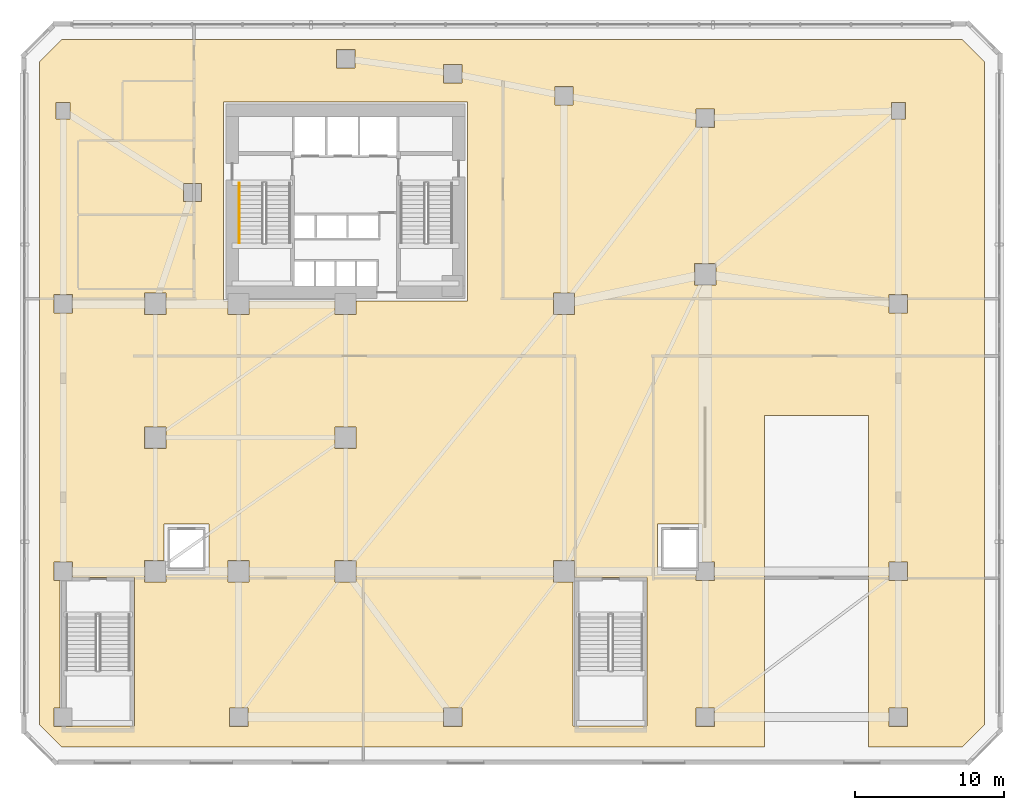
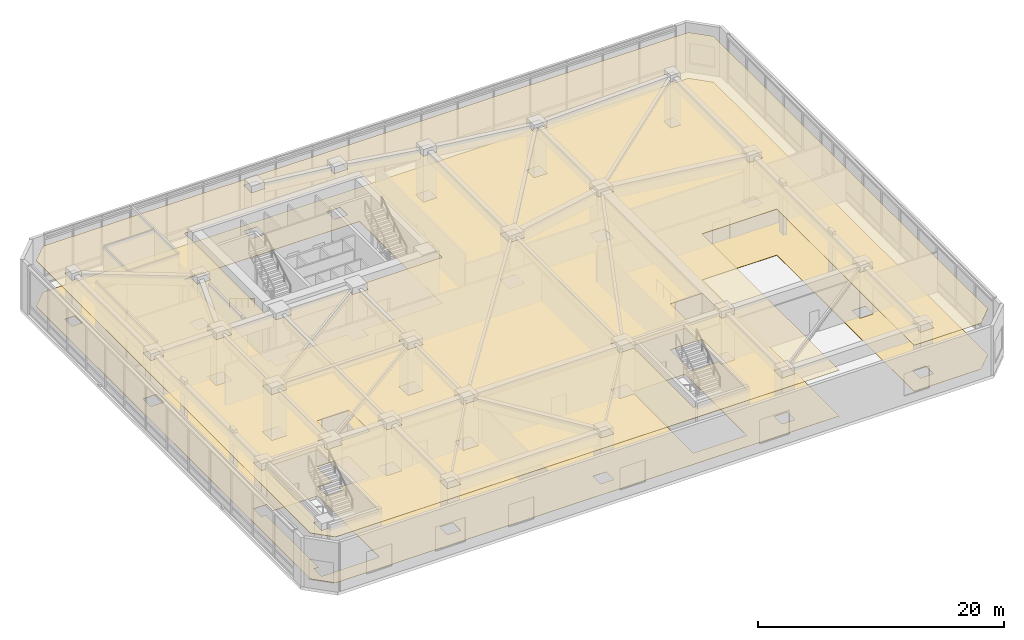
# One storey, part 16 of 18: 2 coverings, 1 railing.
"""IFC4 building model written with IfcOpenShell, lengths in metres."""

from ifc_helpers import new_model, si_unit, direction, frame, origin, origin_2d, place, context, subcontext, project, spatial, polyline, circle, outline, extrude, material, layer, layer_set, type_object, element, save


model = new_model("IFC4")

# Units and contexts
model_context = context("Model", 3, precision=1e-05, world=origin(), true_north=direction((0.0, 1.0)))
body_context = subcontext(model_context, "Body", "Model", "MODEL_VIEW")
ifc_project = project(units=[si_unit("LENGTHUNIT", "METRE"), si_unit("AREAUNIT", "SQUARE_METRE"), si_unit("VOLUMEUNIT", "CUBIC_METRE"), si_unit("PLANEANGLEUNIT", "RADIAN"), si_unit("MASSUNIT", "GRAM", prefix="KILO")], contexts=[model_context])

# Site, building, storey
site_placement = place(None, origin())
site = spatial("IfcSite", under=ifc_project, at=site_placement, CompositionType="ELEMENT")
building_placement = place(site_placement, origin())
building = spatial("IfcBuilding", under=site, at=building_placement, Name="Calvemar Wedge Station Tower", CompositionType="ELEMENT")
storey_placement = place(building_placement, frame((0.0, 0.0, 11.199951171875)))
storey = spatial("IfcBuildingStorey", under=building, at=storey_placement, Name="L03", CompositionType="ELEMENT", Elevation=11.199951171875)

# Coverings
ifc_material_1 = material(Name="Acoustic mineral fibre ceiling board")
ifc_layer_1 = layer(ifc_material_1, 0.0400390625)
ifc_layer_set_1 = layer_set([ifc_layer_1], Name="Acoustic mineral fibre ceiling board")
covering_type_1 = type_object("IfcCoveringType", Name="COV-CEIL-ACOUSTIC", PredefinedType="CEILING", material=ifc_layer_set_1)
covering_1_placement = place(storey_placement, frame((0.0, 0.0, 4.550048828125)))
element("IfcCovering", 1, at=covering_1_placement, inside=storey, type_object=covering_type_1, Name="Storey L03 Acoustic Suspended Ceiling", PredefinedType="CEILING", context=body_context, shape_type="SweptSolid", body=[
    extrude(outline(polyline([(65.302978515625, 50.800048828125), (4.697021484375, 50.800048828125), (3.199951171875, 49.302978515625), (3.199951171875, 4.697021484375), (4.697021484375, 3.199951171875), (52.0, 3.199951171875), (52.0, 25.5), (59.0, 25.5), (59.0, 3.199951171875), (65.302978515625, 3.199951171875), (66.800048828125, 4.697021484375), (66.800048828125, 49.302978515625), (65.302978515625, 50.800048828125)]), holes=[polyline([(15.60009765625, 46.60009765625), (32.0, 46.60009765625), (32.0, 33.199951171875), (24.52001953125, 33.199951171875), (24.52001953125, 32.280029296875), (23.080078125, 32.280029296875), (23.080078125, 33.199951171875), (17.320068359375, 33.199951171875), (17.320068359375, 32.280029296875), (15.8798828125, 32.280029296875), (15.8798828125, 33.199951171875), (15.60009765625, 33.199951171875), (15.60009765625, 46.60009765625)]), polyline([(4.60009765625, 14.3798828125), (4.179931640625, 14.3798828125), (4.179931640625, 15.6201171875), (5.419921875, 15.6201171875), (5.419921875, 14.60009765625), (9.60009765625, 14.60009765625), (9.60009765625, 4.60009765625), (5.419921875, 4.60009765625), (5.419921875, 4.580078125), (4.179931640625, 4.580078125), (4.179931640625, 5.820068359375), (4.60009765625, 5.820068359375), (4.60009765625, 14.3798828125)]), polyline([(39.219970703125, 14.60009765625), (44.10009765625, 14.60009765625), (44.10009765625, 4.60009765625), (39.10009765625, 4.60009765625), (39.10009765625, 14.280029296875), (37.780029296875, 14.280029296875), (37.780029296875, 15.719970703125), (39.219970703125, 15.719970703125), (39.219970703125, 14.60009765625)]), polyline([(11.719970703125, 14.280029296875), (10.280029296875, 14.280029296875), (10.280029296875, 15.719970703125), (11.60009765625, 15.719970703125), (11.60009765625, 18.199951171875), (14.60009765625, 18.199951171875), (14.60009765625, 14.800048828125), (11.719970703125, 14.800048828125), (11.719970703125, 14.280029296875)]), polyline([(44.800048828125, 14.800048828125), (44.800048828125, 18.199951171875), (47.800048828125, 18.199951171875), (47.800048828125, 15.6201171875), (48.6201171875, 15.6201171875), (48.6201171875, 14.3798828125), (47.3798828125, 14.3798828125), (47.3798828125, 14.800048828125), (44.800048828125, 14.800048828125)]), polyline([(15.97998046875, 5.820068359375), (17.219970703125, 5.820068359375), (17.219970703125, 4.580078125), (15.97998046875, 4.580078125), (15.97998046875, 5.820068359375)]), polyline([(31.6201171875, 5.820068359375), (31.6201171875, 4.580078125), (30.3798828125, 4.580078125), (30.3798828125, 5.820068359375), (31.6201171875, 5.820068359375)]), polyline([(48.6201171875, 4.580078125), (47.3798828125, 4.580078125), (47.3798828125, 5.820068359375), (48.6201171875, 5.820068359375), (48.6201171875, 4.580078125)]), polyline([(60.3798828125, 4.580078125), (60.3798828125, 5.820068359375), (61.6201171875, 5.820068359375), (61.6201171875, 4.580078125), (60.3798828125, 4.580078125)]), polyline([(17.320068359375, 14.280029296875), (15.8798828125, 14.280029296875), (15.8798828125, 15.719970703125), (17.320068359375, 15.719970703125), (17.320068359375, 14.280029296875)]), polyline([(23.080078125, 14.280029296875), (23.080078125, 15.719970703125), (24.52001953125, 15.719970703125), (24.52001953125, 14.280029296875), (23.080078125, 14.280029296875)]), polyline([(61.6201171875, 14.3798828125), (60.3798828125, 14.3798828125), (60.3798828125, 15.6201171875), (61.6201171875, 15.6201171875), (61.6201171875, 14.3798828125)]), polyline([(10.280029296875, 23.280029296875), (10.280029296875, 24.719970703125), (11.719970703125, 24.719970703125), (11.719970703125, 23.280029296875), (10.280029296875, 23.280029296875)]), polyline([(23.080078125, 24.719970703125), (24.52001953125, 24.719970703125), (24.52001953125, 23.280029296875), (23.080078125, 23.280029296875), (23.080078125, 24.719970703125)]), polyline([(5.419921875, 33.6201171875), (5.419921875, 32.3798828125), (4.179931640625, 32.3798828125), (4.179931640625, 33.6201171875), (5.419921875, 33.6201171875)]), polyline([(11.719970703125, 32.280029296875), (10.280029296875, 32.280029296875), (10.280029296875, 33.719970703125), (11.719970703125, 33.719970703125), (11.719970703125, 32.280029296875)]), polyline([(39.219970703125, 33.719970703125), (39.219970703125, 32.280029296875), (37.780029296875, 32.280029296875), (37.780029296875, 33.719970703125), (39.219970703125, 33.719970703125)]), polyline([(48.719970703125, 34.280029296875), (47.280029296875, 34.280029296875), (47.280029296875, 35.719970703125), (48.719970703125, 35.719970703125), (48.719970703125, 34.280029296875)]), polyline([(60.3798828125, 32.3798828125), (60.3798828125, 33.6201171875), (61.6201171875, 33.6201171875), (61.6201171875, 32.3798828125), (60.3798828125, 32.3798828125)]), polyline([(4.330078125, 46.570068359375), (5.27001953125, 46.570068359375), (5.27001953125, 45.429931640625), (4.330078125, 45.429931640625), (4.330078125, 46.570068359375)]), polyline([(14.1201171875, 41.1201171875), (14.1201171875, 39.8798828125), (12.8798828125, 39.8798828125), (12.8798828125, 41.1201171875), (14.1201171875, 41.1201171875)]), polyline([(24.419921875, 48.8798828125), (23.179931640625, 48.8798828125), (23.179931640625, 50.1201171875), (24.419921875, 50.1201171875), (24.419921875, 48.8798828125)]), polyline([(30.3798828125, 47.8798828125), (30.3798828125, 49.1201171875), (31.6201171875, 49.1201171875), (31.6201171875, 47.8798828125), (30.3798828125, 47.8798828125)]), polyline([(37.8798828125, 47.6201171875), (39.1201171875, 47.6201171875), (39.1201171875, 46.3798828125), (37.8798828125, 46.3798828125), (37.8798828125, 47.6201171875)]), polyline([(48.6201171875, 46.1201171875), (48.6201171875, 44.8798828125), (47.3798828125, 44.8798828125), (47.3798828125, 46.1201171875), (48.6201171875, 46.1201171875)]), polyline([(61.469970703125, 45.429931640625), (60.530029296875, 45.429931640625), (60.530029296875, 46.570068359375), (61.469970703125, 46.570068359375), (61.469970703125, 45.429931640625)])]), origin(), (0.0, 0.0, 1.0), 0.0400390625),
])
ifc_material_2 = material(Name="Commercial raised access floor")
ifc_layer_2 = layer(ifc_material_2, 0.030029296875)
ifc_layer_set_2 = layer_set([ifc_layer_2], Name="Commercial raised access floor")
covering_type_2 = type_object("IfcCoveringType", Name="COV-FLR-RAISED", PredefinedType="FLOORING", material=ifc_layer_set_2)
covering_2_placement = place(storey_placement, origin())
element("IfcCovering", 2, at=covering_2_placement, inside=storey, type_object=covering_type_2, Name="Storey L03 Architectural Floor Finish", PredefinedType="FLOORING", context=body_context, shape_type="SweptSolid", body=[
    extrude(outline(polyline([(65.302978515625, 50.800048828125), (4.697021484375, 50.800048828125), (3.199951171875, 49.302978515625), (3.199951171875, 4.697021484375), (4.697021484375, 3.199951171875), (52.0, 3.199951171875), (52.0, 25.5), (59.0, 25.5), (59.0, 3.199951171875), (65.302978515625, 3.199951171875), (66.800048828125, 4.697021484375), (66.800048828125, 49.302978515625), (65.302978515625, 50.800048828125)]), holes=[polyline([(15.60009765625, 46.60009765625), (32.0, 46.60009765625), (32.0, 33.199951171875), (24.52001953125, 33.199951171875), (24.52001953125, 32.280029296875), (23.080078125, 32.280029296875), (23.080078125, 33.199951171875), (17.320068359375, 33.199951171875), (17.320068359375, 32.280029296875), (15.8798828125, 32.280029296875), (15.8798828125, 33.199951171875), (15.60009765625, 33.199951171875), (15.60009765625, 46.60009765625)]), polyline([(4.60009765625, 14.3798828125), (4.179931640625, 14.3798828125), (4.179931640625, 15.6201171875), (5.419921875, 15.6201171875), (5.419921875, 14.60009765625), (9.60009765625, 14.60009765625), (9.60009765625, 4.60009765625), (5.419921875, 4.60009765625), (5.419921875, 4.580078125), (4.179931640625, 4.580078125), (4.179931640625, 5.820068359375), (4.60009765625, 5.820068359375), (4.60009765625, 14.3798828125)]), polyline([(39.219970703125, 14.60009765625), (44.10009765625, 14.60009765625), (44.10009765625, 4.60009765625), (39.10009765625, 4.60009765625), (39.10009765625, 14.280029296875), (37.780029296875, 14.280029296875), (37.780029296875, 15.719970703125), (39.219970703125, 15.719970703125), (39.219970703125, 14.60009765625)]), polyline([(11.719970703125, 14.280029296875), (10.280029296875, 14.280029296875), (10.280029296875, 15.719970703125), (11.60009765625, 15.719970703125), (11.60009765625, 18.199951171875), (14.60009765625, 18.199951171875), (14.60009765625, 14.800048828125), (11.719970703125, 14.800048828125), (11.719970703125, 14.280029296875)]), polyline([(44.800048828125, 14.800048828125), (44.800048828125, 18.199951171875), (47.800048828125, 18.199951171875), (47.800048828125, 15.6201171875), (48.6201171875, 15.6201171875), (48.6201171875, 14.3798828125), (47.3798828125, 14.3798828125), (47.3798828125, 14.800048828125), (44.800048828125, 14.800048828125)]), polyline([(15.97998046875, 5.820068359375), (17.219970703125, 5.820068359375), (17.219970703125, 4.580078125), (15.97998046875, 4.580078125), (15.97998046875, 5.820068359375)]), polyline([(31.6201171875, 5.820068359375), (31.6201171875, 4.580078125), (30.3798828125, 4.580078125), (30.3798828125, 5.820068359375), (31.6201171875, 5.820068359375)]), polyline([(48.6201171875, 4.580078125), (47.3798828125, 4.580078125), (47.3798828125, 5.820068359375), (48.6201171875, 5.820068359375), (48.6201171875, 4.580078125)]), polyline([(60.3798828125, 4.580078125), (60.3798828125, 5.820068359375), (61.6201171875, 5.820068359375), (61.6201171875, 4.580078125), (60.3798828125, 4.580078125)]), polyline([(17.320068359375, 14.280029296875), (15.8798828125, 14.280029296875), (15.8798828125, 15.719970703125), (17.320068359375, 15.719970703125), (17.320068359375, 14.280029296875)]), polyline([(23.080078125, 14.280029296875), (23.080078125, 15.719970703125), (24.52001953125, 15.719970703125), (24.52001953125, 14.280029296875), (23.080078125, 14.280029296875)]), polyline([(61.6201171875, 14.3798828125), (60.3798828125, 14.3798828125), (60.3798828125, 15.6201171875), (61.6201171875, 15.6201171875), (61.6201171875, 14.3798828125)]), polyline([(10.280029296875, 23.280029296875), (10.280029296875, 24.719970703125), (11.719970703125, 24.719970703125), (11.719970703125, 23.280029296875), (10.280029296875, 23.280029296875)]), polyline([(23.080078125, 24.719970703125), (24.52001953125, 24.719970703125), (24.52001953125, 23.280029296875), (23.080078125, 23.280029296875), (23.080078125, 24.719970703125)]), polyline([(5.419921875, 33.6201171875), (5.419921875, 32.3798828125), (4.179931640625, 32.3798828125), (4.179931640625, 33.6201171875), (5.419921875, 33.6201171875)]), polyline([(11.719970703125, 32.280029296875), (10.280029296875, 32.280029296875), (10.280029296875, 33.719970703125), (11.719970703125, 33.719970703125), (11.719970703125, 32.280029296875)]), polyline([(39.219970703125, 33.719970703125), (39.219970703125, 32.280029296875), (37.780029296875, 32.280029296875), (37.780029296875, 33.719970703125), (39.219970703125, 33.719970703125)]), polyline([(48.719970703125, 34.280029296875), (47.280029296875, 34.280029296875), (47.280029296875, 35.719970703125), (48.719970703125, 35.719970703125), (48.719970703125, 34.280029296875)]), polyline([(60.3798828125, 32.3798828125), (60.3798828125, 33.6201171875), (61.6201171875, 33.6201171875), (61.6201171875, 32.3798828125), (60.3798828125, 32.3798828125)]), polyline([(4.330078125, 46.570068359375), (5.27001953125, 46.570068359375), (5.27001953125, 45.429931640625), (4.330078125, 45.429931640625), (4.330078125, 46.570068359375)]), polyline([(14.1201171875, 41.1201171875), (14.1201171875, 39.8798828125), (12.8798828125, 39.8798828125), (12.8798828125, 41.1201171875), (14.1201171875, 41.1201171875)]), polyline([(24.419921875, 48.8798828125), (23.179931640625, 48.8798828125), (23.179931640625, 50.1201171875), (24.419921875, 50.1201171875), (24.419921875, 48.8798828125)]), polyline([(30.3798828125, 47.8798828125), (30.3798828125, 49.1201171875), (31.6201171875, 49.1201171875), (31.6201171875, 47.8798828125), (30.3798828125, 47.8798828125)]), polyline([(37.8798828125, 47.6201171875), (39.1201171875, 47.6201171875), (39.1201171875, 46.3798828125), (37.8798828125, 46.3798828125), (37.8798828125, 47.6201171875)]), polyline([(48.6201171875, 46.1201171875), (48.6201171875, 44.8798828125), (47.3798828125, 44.8798828125), (47.3798828125, 46.1201171875), (48.6201171875, 46.1201171875)]), polyline([(61.469970703125, 45.429931640625), (60.530029296875, 45.429931640625), (60.530029296875, 46.570068359375), (61.469970703125, 46.570068359375), (61.469970703125, 45.429931640625)])]), origin(), (0.0, 0.0, 1.0), 0.030029296875),
])

# Railing
ifc_material_3 = material(Name="Stainless steel AISI 316L", Category="steel")
railing_type = type_object("IfcRailingType", Name="RL-HANDRAIL-920", PredefinedType="HANDRAIL", material=ifc_material_3)
railing_placement = place(storey_placement, frame((16.64990234375, 41.14990234375, 0.17333984375)))
element("IfcRailing", 3, at=railing_placement, inside=storey, type_object=railing_type, Name="L03 ST-C1 stair handrail 1", PredefinedType="HANDRAIL", context=body_context, shape_type="SweptSolid", body=[
    extrude(circle(Radius=0.02392578125, at=origin_2d()), frame((0.0, 0.0, 0.89599609375), z_axis=(0.0, -0.858343435637, 0.513075575815), x_axis=(1.0, 0.0, 0.0)), (0.0, 0.0, 1.0), 4.729736328125),
    extrude(circle(Radius=0.02099609375, at=origin_2d()), origin(), (0.0, 0.0, 1.0), 0.871826171875),
    extrude(circle(Radius=0.02099609375, at=origin_2d()), frame((0.0, -1.014892578125, 0.606689453125)), (0.0, 0.0, 1.0), 0.871826171875),
    extrude(circle(Radius=0.02099609375, at=origin_2d()), frame((0.0, -2.02978515625, 1.21337890625)), (0.0, 0.0, 1.0), 0.871826171875),
    extrude(circle(Radius=0.02099609375, at=origin_2d()), frame((0.0, -3.044921875, 1.820068359375)), (0.0, 0.0, 1.0), 0.871826171875),
    extrude(circle(Radius=0.02099609375, at=origin_2d()), frame((0.0, -4.059814453125, 2.4267578125)), (0.0, 0.0, 1.0), 0.871826171875),
])

save(model, "model.ifc")
